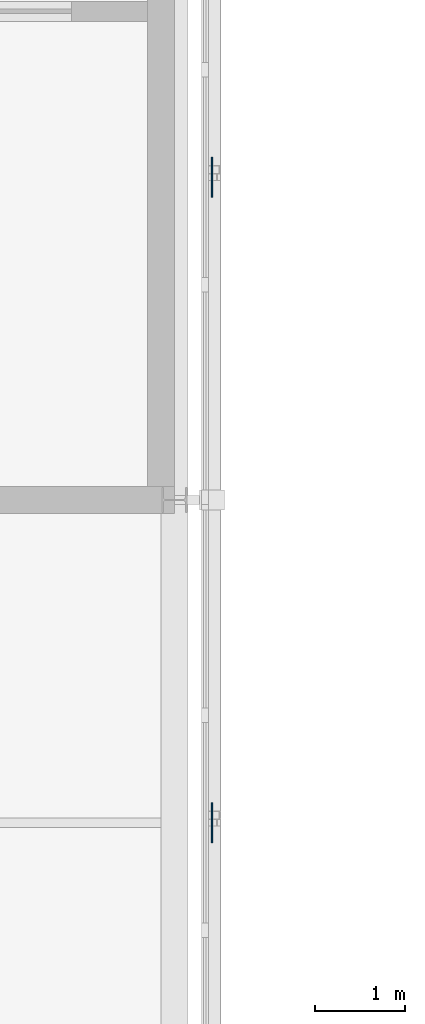
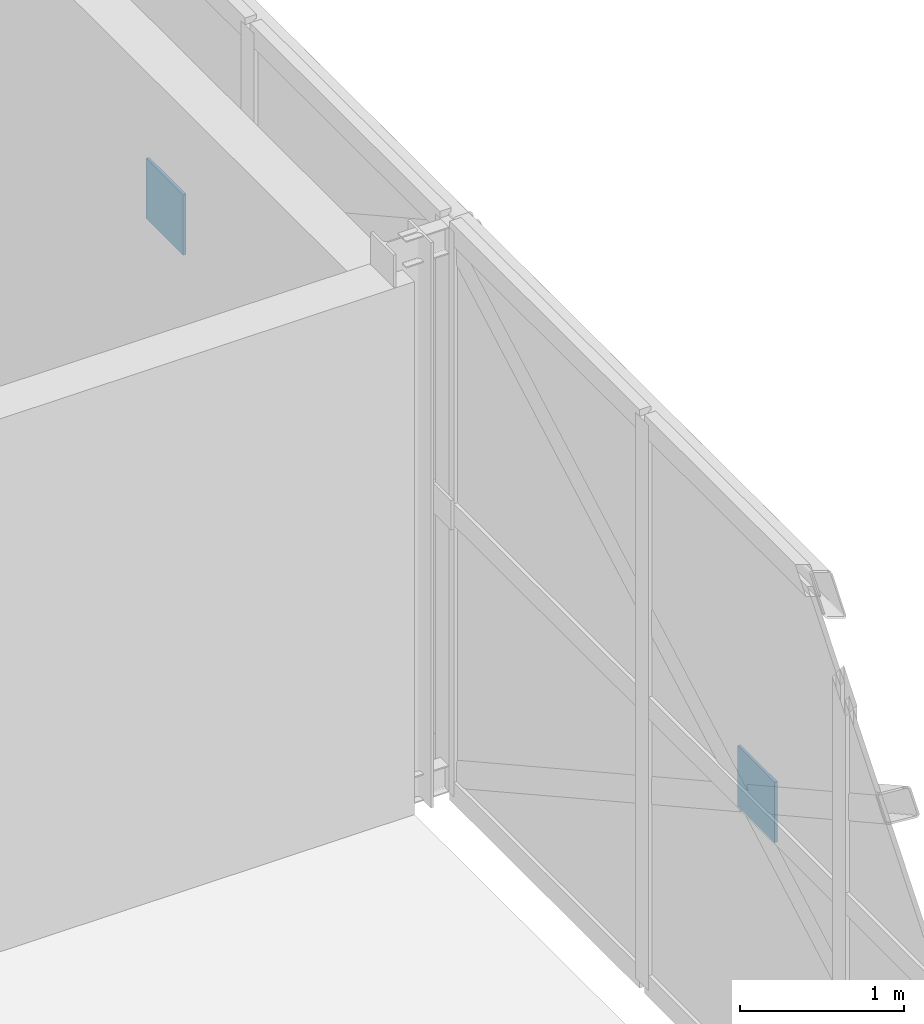
# One storey, part 74 of 103: 2 plates.
"""IFC4 building model written with IfcOpenShell, lengths in metres."""

from ifc_helpers import new_model, si_unit, direction, frame, origin, origin_2d, place, context, subcontext, project, spatial, rectangle, extrude, material, layer, layer_set, type_object, element, save


model = new_model("IFC4")

# Units and contexts
model_context = context("Model", 3, precision=1e-05, world=origin(), true_north=direction((0.0, 1.0)))
body_context = subcontext(model_context, "Body", "Model", "MODEL_VIEW")
ifc_project = project(units=[si_unit("LENGTHUNIT", "METRE"), si_unit("AREAUNIT", "SQUARE_METRE"), si_unit("VOLUMEUNIT", "CUBIC_METRE"), si_unit("PLANEANGLEUNIT", "RADIAN"), si_unit("MASSUNIT", "GRAM", prefix="KILO")], contexts=[model_context])

# Site, building, storey
site_placement = place(None, origin())
site = spatial("IfcSite", under=ifc_project, at=site_placement, CompositionType="ELEMENT")
building_placement = place(site_placement, origin())
building = spatial("IfcBuilding", under=site, at=building_placement, Name="Zlatovets Crest Museum", CompositionType="ELEMENT")
storey_placement = place(building_placement, frame((0.0, 0.0, 12.89990234375)))
storey = spatial("IfcBuildingStorey", under=building, at=storey_placement, Name="L03", CompositionType="ELEMENT", Elevation=12.89990234375)

# Plates
ifc_material = material(Name="Structural steel S355J2", Category="steel")
ifc_layer = layer(ifc_material, 0.02001953125)
ifc_layer_set = layer_set([ifc_layer], Name="Structural steel S355J2")
plate_type = type_object("IfcPlateType", Name="Gusset_GP-04", PredefinedType="USERDEFINED", material=ifc_layer_set)
for number, where, z_axis, x_axis, name in (
    (1, (36.419921875, 54.0, 1.875), (0.0, 0.0, 1.0), (1.0, 0.0, 0.0), "X-Brace Crossing Node Gusset Plate GP-04"),
    (2, (36.419921875, 61.199951171875, 1.875), (0.0, 0.0, 1.0), (1.0, 0.0, 0.0), "X-Brace Crossing Node Gusset Plate GP-04"),
):
    element("IfcPlate", number, at=place(storey_placement, frame(where, z_axis=z_axis, x_axis=x_axis)), inside=storey, type_object=plate_type, Name=name, ObjectType="GUSSET", PredefinedType="USERDEFINED", context=body_context, shape_type="SweptSolid", body=[
        extrude(rectangle(XDim=0.02001953125, YDim=0.449951171875, at=origin_2d()), origin(), (0.0, 0.0, 1.0), 0.449951171875),
    ])

save(model, "model.ifc")
